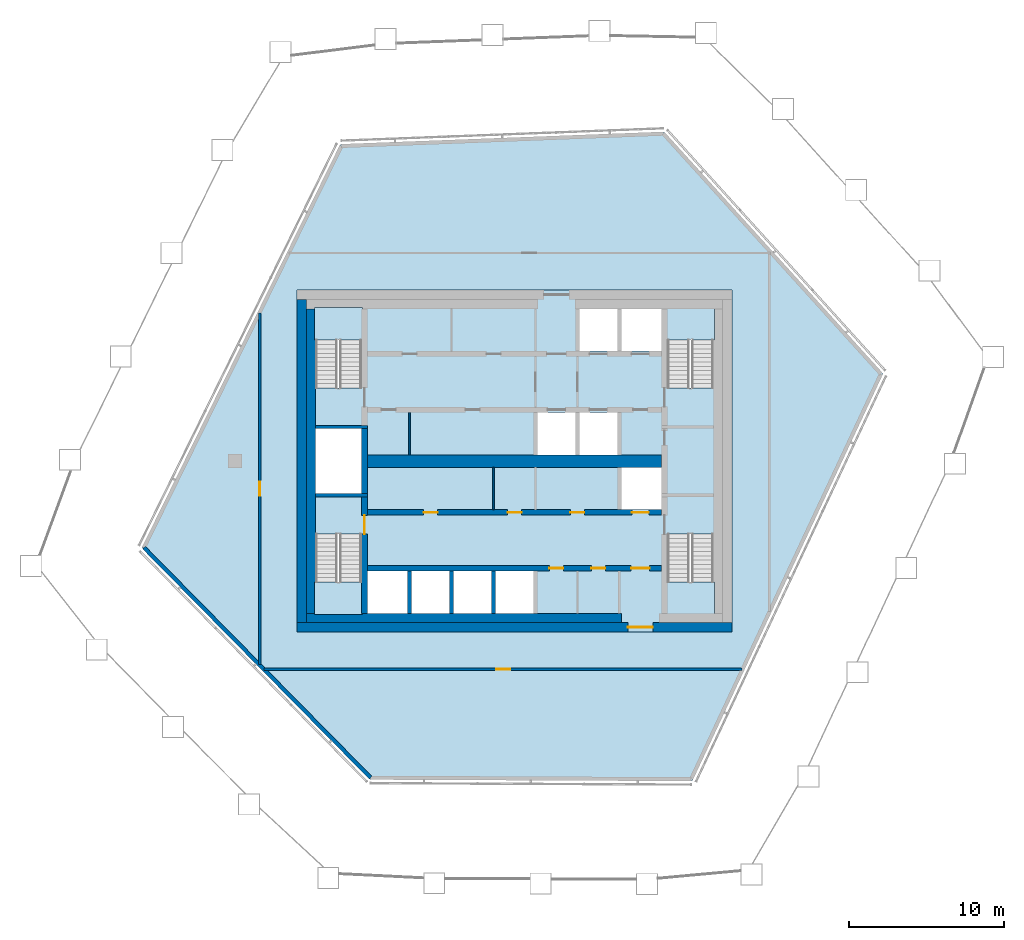
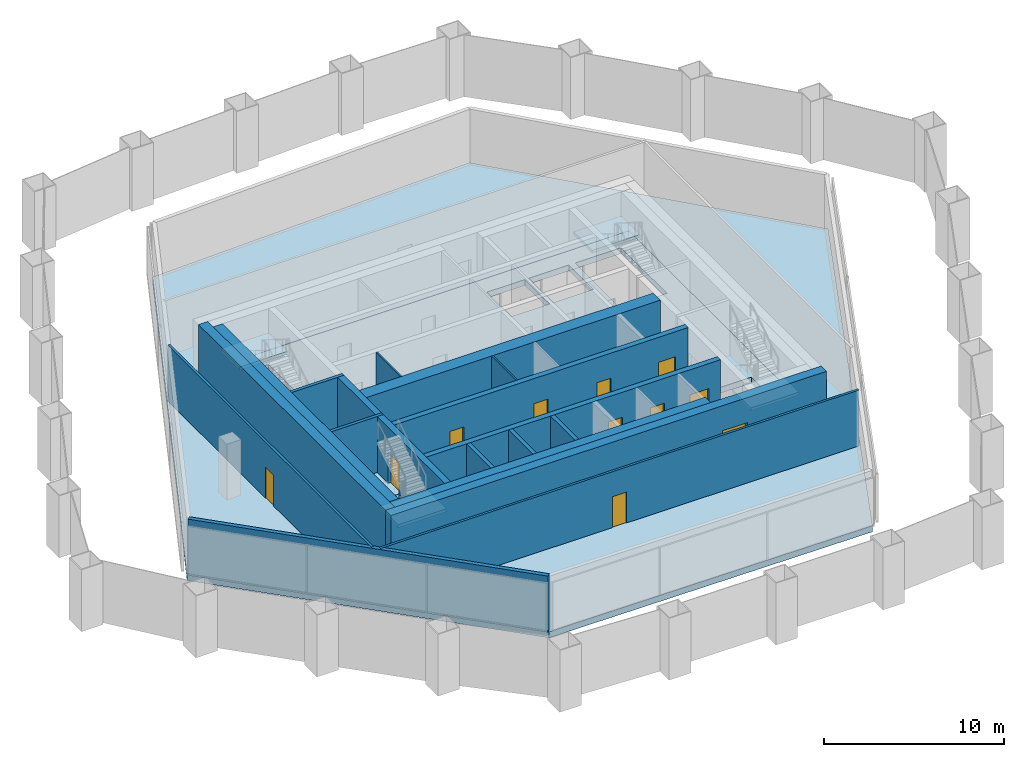
# One storey, part 7 of 18: 19 walls, 11 doors, 6 slabs, 11 openings, 4 elements without a shape of their own.
"""IFC4 building model written with IfcOpenShell, lengths in metres."""

from ifc_helpers import new_model, si_unit, direction, frame, frame_2d, origin, place, context, subcontext, project, spatial, polyline, rectangle, outline, extrude, material, layer, layer_set, type_object, element, fill, aggregate, save


model = new_model("IFC4")

# Units and contexts
model_context = context("Model", 3, precision=1e-05, world=origin(), true_north=direction((0.0, 1.0)))
body_context = subcontext(model_context, "Body", "Model", "MODEL_VIEW")
ifc_project = project(units=[si_unit("LENGTHUNIT", "METRE"), si_unit("AREAUNIT", "SQUARE_METRE"), si_unit("VOLUMEUNIT", "CUBIC_METRE"), si_unit("PLANEANGLEUNIT", "RADIAN"), si_unit("MASSUNIT", "GRAM", prefix="KILO")], contexts=[model_context])

# Site, building, storey
site_placement = place(None, origin())
site = spatial("IfcSite", under=ifc_project, at=site_placement, CompositionType="ELEMENT")
building_placement = place(site_placement, origin())
building = spatial("IfcBuilding", under=site, at=building_placement, Name="Dongbaek Canopy Tower", CompositionType="ELEMENT")
storey_placement = place(building_placement, frame((0.0, 0.0, 359.0)))
storey = spatial("IfcBuildingStorey", under=building, at=storey_placement, Name="L77", CompositionType="ELEMENT", Elevation=359.0)

# Slab
ifc_material_1 = material(Name="Concrete C40/50", Category="concrete")
ifc_layer_1 = layer(ifc_material_1, 0.39990234375)
ifc_layer_set_1 = layer_set([ifc_layer_1], Name="Core floor slab 400 Concrete C40/50")
slab_type_1 = type_object("IfcSlabType", Name="Core floor slab 400 Concrete C40/50", PredefinedType="FLOOR", material=ifc_layer_set_1)
slab_1_placement = place(storey_placement, frame((0.0, 0.0, -0.39990234375)))
element("IfcSlab", 1, at=slab_1_placement, inside=storey, type_object=slab_type_1, Name="Core floor slab L77", PredefinedType="FLOOR", context=body_context, shape_type="SweptSolid", body=[
    extrude(outline(polyline([(14.0, -11.0), (14.0, 11.0), (-14.0, 11.0), (-14.0, -11.0), (14.0, -11.0)]), holes=[polyline([(-12.800048828125, 2.10009765625), (-9.85009765625, 2.10009765625), (-9.85009765625, -2.10009765625), (-12.800048828125, -2.10009765625), (-12.800048828125, 2.10009765625)]), polyline([(6.625, 9.800048828125), (6.625, 7.074951171875), (4.175048828125, 7.074951171875), (4.175048828125, 9.800048828125), (6.625, 9.800048828125)]), polyline([(9.449951171875, 7.074951171875), (6.875, 7.074951171875), (6.875, 9.800048828125), (9.449951171875, 9.800048828125), (9.449951171875, 7.074951171875)]), polyline([(1.47509765625, 0.39990234375), (1.47509765625, 3.125), (3.925048828125, 3.125), (3.925048828125, 0.39990234375), (1.47509765625, 0.39990234375)]), polyline([(4.175048828125, 0.39990234375), (4.175048828125, 3.125), (6.625, 3.125), (6.625, 0.39990234375), (4.175048828125, 0.39990234375)]), polyline([(9.449951171875, -3.125), (6.875, -3.125), (6.875, -0.39990234375), (9.449951171875, -0.39990234375), (9.449951171875, -3.125)]), polyline([(-9.449951171875, -7.074951171875), (-6.875, -7.074951171875), (-6.875, -9.800048828125), (-9.449951171875, -9.800048828125), (-9.449951171875, -7.074951171875)]), polyline([(-6.625, -9.800048828125), (-6.625, -7.074951171875), (-4.175048828125, -7.074951171875), (-4.175048828125, -9.800048828125), (-6.625, -9.800048828125)]), polyline([(-3.925048828125, -9.800048828125), (-3.925048828125, -7.074951171875), (-1.47509765625, -7.074951171875), (-1.47509765625, -9.800048828125), (-3.925048828125, -9.800048828125)]), polyline([(-1.22509765625, -9.800048828125), (-1.22509765625, -7.074951171875), (1.22509765625, -7.074951171875), (1.22509765625, -9.800048828125), (-1.22509765625, -9.800048828125)]), polyline([(12.800048828125, 4.70068359375), (12.800048828125, 9.800048828125), (9.85009765625, 9.800048828125), (9.85009765625, 4.70068359375), (12.800048828125, 4.70068359375)]), polyline([(-9.85009765625, 4.70068359375), (-9.85009765625, 9.800048828125), (-12.800048828125, 9.800048828125), (-12.800048828125, 4.70068359375), (-9.85009765625, 4.70068359375)]), polyline([(9.85009765625, -4.70068359375), (9.85009765625, -9.800048828125), (12.800048828125, -9.800048828125), (12.800048828125, -4.70068359375), (9.85009765625, -4.70068359375)]), polyline([(-12.800048828125, -4.70068359375), (-12.800048828125, -9.800048828125), (-9.85009765625, -9.800048828125), (-9.85009765625, -4.70068359375), (-12.800048828125, -4.70068359375)])]), origin(), (0.0, 0.0, 1.0), 0.39990234375),
])

# Stair, slab
ifc_material_2 = material(Name="Concrete C40/50", Category="concrete")
stair_type = type_object("IfcStairType", Name="Core exit stair", PredefinedType="HALF_TURN_STAIR", material=ifc_material_2)
stair_1_placement = place(storey_placement, origin())
stair_1 = element("IfcStair", 2, at=stair_1_placement, inside=storey, type_object=stair_type, Name="L77 exit stair A", PredefinedType="HALF_TURN_STAIR")
ifc_material_3 = material(Name="Concrete C40/50", Category="concrete")
ifc_layer_2 = layer(ifc_material_3, 0.199951171875)
ifc_layer_set_2 = layer_set([ifc_layer_2], Name="Core stair landing 200")
slab_type_2 = type_object("IfcSlabType", Name="Core stair landing 200", PredefinedType="LANDING", material=ifc_layer_set_2)
slab_2_placement = place(storey_placement, frame((0.0, 0.0, 1.89990234375)))
slab_2 = element("IfcSlab", 3, at=slab_2_placement, type_object=slab_type_2, Name="ST-A landing 1", PredefinedType="LANDING", context=body_context, shape_type="SweptSolid", body=[
    extrude(outline(polyline([(12.875, 7.780029296875), (12.875, 9.875), (9.77490234375, 9.875), (9.77490234375, 7.780029296875), (12.875, 7.780029296875)])), origin(), (0.0, 0.0, 1.0), 0.2001953125),
])
aggregate(stair_1, [slab_2])

stair_2_placement = place(storey_placement, origin())
stair_2 = element("IfcStair", 4, at=stair_2_placement, inside=storey, type_object=stair_type, Name="L77 exit stair C", PredefinedType="HALF_TURN_STAIR")
slab_3_placement = place(storey_placement, frame((0.0, 0.0, 1.89990234375)))
slab_3 = element("IfcSlab", 5, at=slab_3_placement, type_object=slab_type_2, Name="ST-C landing 1", PredefinedType="LANDING", context=body_context, shape_type="SweptSolid", body=[
    extrude(outline(polyline([(-9.77490234375, 7.780029296875), (-9.77490234375, 9.875), (-12.875, 9.875), (-12.875, 7.780029296875), (-9.77490234375, 7.780029296875)])), origin(), (0.0, 0.0, 1.0), 0.2001953125),
])
aggregate(stair_2, [slab_3])

stair_3_placement = place(storey_placement, origin())
stair_3 = element("IfcStair", 6, at=stair_3_placement, inside=storey, type_object=stair_type, Name="L77 exit stair B", PredefinedType="HALF_TURN_STAIR")
slab_4_placement = place(storey_placement, frame((0.0, 0.0, 1.89990234375)))
slab_4 = element("IfcSlab", 7, at=slab_4_placement, type_object=slab_type_2, Name="ST-B landing 1", PredefinedType="LANDING", context=body_context, shape_type="SweptSolid", body=[
    extrude(outline(polyline([(9.77490234375, -7.780029296875), (9.77490234375, -9.875), (12.875, -9.875), (12.875, -7.780029296875), (9.77490234375, -7.780029296875)])), origin(), (0.0, 0.0, 1.0), 0.2001953125),
])
aggregate(stair_3, [slab_4])

stair_4_placement = place(storey_placement, origin())
stair_4 = element("IfcStair", 8, at=stair_4_placement, inside=storey, type_object=stair_type, Name="L77 exit stair D", PredefinedType="HALF_TURN_STAIR")
slab_5_placement = place(storey_placement, frame((0.0, 0.0, 1.89990234375)))
slab_5 = element("IfcSlab", 9, at=slab_5_placement, type_object=slab_type_2, Name="ST-D landing 1", PredefinedType="LANDING", context=body_context, shape_type="SweptSolid", body=[
    extrude(outline(polyline([(-12.875, -7.780029296875), (-12.875, -9.875), (-9.77490234375, -9.875), (-9.77490234375, -7.780029296875), (-12.875, -7.780029296875)])), origin(), (0.0, 0.0, 1.0), 0.2001953125),
])
aggregate(stair_4, [slab_5])

# Slab
ifc_material_4 = material(Name="Concrete C40", Category="concrete")
ifc_layer_3 = layer(ifc_material_4, 0.39990234375)
ifc_layer_set_3 = layer_set([ifc_layer_3], Name="RC FLAT PLATE 400 Concrete C40")
slab_type_3 = type_object("IfcSlabType", Name="RC FLAT PLATE 400 Concrete C40", PredefinedType="FLOOR", material=ifc_layer_set_3)
slab_6_placement = place(storey_placement, frame((0.0, 0.0, -0.39990234375)))
element("IfcSlab", 10, at=slab_6_placement, inside=storey, type_object=slab_type_3, Name="SLAB:L77", PredefinedType="FLOOR", context=body_context, shape_type="SweptSolid", body=[
    extrude(outline(polyline([(-23.972412109375, -5.587646484375), (-11.201904296875, 20.37744140625), (9.6259765625, 21.17431640625), (23.701416015625, 5.631591796875), (11.430908203125, -20.569091796875), (-9.307861328125, -20.4765625), (-23.972412109375, -5.587646484375)]), holes=[polyline([(14.0, 11.0), (-14.0, 11.0), (-14.0, -11.0), (14.0, -11.0), (14.0, 11.0)])]), origin(), (0.0, 0.0, 1.0), 0.39990234375),
])

# Wall
ifc_material_5 = material(Name="Concrete C60/75", Category="concrete")
ifc_layer_4 = layer(ifc_material_5, 0.800048828125)
ifc_layer_set_4 = layer_set([ifc_layer_4], Name="Core central wall 800 Concrete C60/75")
wall_type_1 = type_object("IfcWallType", Name="Core central wall 800 Concrete C60/75", PredefinedType="SHEAR", material=ifc_layer_set_4)
wall_1_placement = place(storey_placement, frame((-9.449951171875, 0.0, 0.0), z_axis=(0.0, 0.0, 1.0), x_axis=(1.0, 0.0, 0.0)))
element("IfcWall", 11, at=wall_1_placement, inside=storey, type_object=wall_type_1, Name="Core wall", PredefinedType="SHEAR", context=body_context, shape_type="SweptSolid", body=[
    extrude(rectangle(XDim=18.89990234375, YDim=0.800048828125, at=frame_2d((9.449951171875, 0.0))), origin(), (0.0, 0.0, 1.0), 3.800048828125),
])

# Wall, openings, doors
ifc_material_6 = material(Name="Concrete C60/75", Category="concrete")
ifc_layer_5 = layer(ifc_material_6, 0.35009765625)
ifc_layer_set_5 = layer_set([ifc_layer_5], Name="Core lobby wall 350 Concrete C60/75")
wall_type_2 = type_object("IfcWallType", Name="Core lobby wall 350 Concrete C60/75", PredefinedType="SHEAR", material=ifc_layer_set_5)
wall_2_placement = place(storey_placement, frame((-9.449951171875, -3.300048828125, 0.0), z_axis=(0.0, 0.0, 1.0), x_axis=(1.0, 0.0, 0.0)))
wall_2 = element("IfcWall", 12, at=wall_2_placement, inside=storey, type_object=wall_type_2, Name="Core wall", PredefinedType="SHEAR", context=body_context, shape_type="SweptSolid", body=[
    extrude(rectangle(XDim=18.89990234375, YDim=0.35009765625, at=frame_2d((9.449951171875, 0.0))), origin(), (0.0, 0.0, 1.0), 3.800048828125),
])
opening_1_placement = place(wall_2_placement, frame((17.0, 0.0, 0.0)))
opening_1 = element("IfcOpeningElement", 13, at=opening_1_placement, cuts=wall_2, Name="Opening L77-D012", PredefinedType="OPENING", context=body_context, shape_type="SweptSolid", body=[
    extrude(rectangle(XDim=1.10009765625, YDim=2.10009765625, at=frame_2d((0.550048828125, 1.050048828125))), frame((0.0, 0.18505859375, 0.0), z_axis=(0.0, -1.0, 0.0), x_axis=(1.0, 0.0, 0.0)), (0.0, 0.0, 1.0), 0.3701171875),
])
opening_2_placement = place(wall_2_placement, frame((3.60009765625, 0.0, 0.0)))
opening_2 = element("IfcOpeningElement", 14, at=opening_2_placement, cuts=wall_2, Name="Opening L77-D019", PredefinedType="OPENING", context=body_context, shape_type="SweptSolid", body=[
    extrude(rectangle(XDim=0.89990234375, YDim=2.10009765625, at=frame_2d((0.449951171875, 1.050048828125))), frame((0.0, 0.18505859375, 0.0), z_axis=(0.0, -1.0, 0.0), x_axis=(1.0, 0.0, 0.0)), (0.0, 0.0, 1.0), 0.3701171875),
])
opening_3_placement = place(wall_2_placement, frame((9.0, 0.0, 0.0)))
opening_3 = element("IfcOpeningElement", 15, at=opening_3_placement, cuts=wall_2, Name="Opening L77-D020", PredefinedType="OPENING", context=body_context, shape_type="SweptSolid", body=[
    extrude(rectangle(XDim=0.89990234375, YDim=2.10009765625, at=frame_2d((0.449951171875, 1.050048828125))), frame((0.0, 0.18505859375, 0.0), z_axis=(0.0, -1.0, 0.0), x_axis=(1.0, 0.0, 0.0)), (0.0, 0.0, 1.0), 0.3701171875),
])
opening_4_placement = place(wall_2_placement, frame((13.050048828125, 0.0, 0.0)))
opening_4 = element("IfcOpeningElement", 16, at=opening_4_placement, cuts=wall_2, Name="Opening L77-D021", PredefinedType="OPENING", context=body_context, shape_type="SweptSolid", body=[
    extrude(rectangle(XDim=0.89990234375, YDim=2.10009765625, at=frame_2d((0.449951171875, 1.050048828125))), frame((0.0, 0.18505859375, 0.0), z_axis=(0.0, -1.0, 0.0), x_axis=(1.0, 0.0, 0.0)), (0.0, 0.0, 1.0), 0.3701171875),
])
ifc_material_7 = material(Name="Steel", Category="steel")
door_type_1 = type_object("IfcDoorType", Name="Core room door 900 x 2100", OperationType="SINGLE_SWING_LEFT", PredefinedType="DOOR", material=ifc_material_7)
door_1_placement = place(opening_2_placement, origin())
door_1 = element("IfcDoor", 17, at=door_1_placement, inside=storey, type_object=door_type_1, Name="Door L77-D019", OperationType="SINGLE_SWING_RIGHT", OverallHeight=2.10009765625, OverallWidth=0.89990234375, PredefinedType="DOOR", context=body_context, shape_type="SweptSolid", body=[
    extrude(rectangle(XDim=0.89990234375, YDim=2.10009765625, at=frame_2d((0.449951171875, 1.050048828125))), frame((0.0, 0.02490234375, 0.0), z_axis=(0.0, -1.0, 0.0), x_axis=(1.0, 0.0, 0.0)), (0.0, 0.0, 1.0), 0.050048828125),
])
fill(opening_2, door_1)
door_2_placement = place(opening_3_placement, origin())
door_2 = element("IfcDoor", 18, at=door_2_placement, inside=storey, type_object=door_type_1, Name="Door L77-D020", OperationType="SINGLE_SWING_LEFT", OverallHeight=2.10009765625, OverallWidth=0.89990234375, PredefinedType="DOOR", context=body_context, shape_type="SweptSolid", body=[
    extrude(rectangle(XDim=0.89990234375, YDim=2.10009765625, at=frame_2d((0.449951171875, 1.050048828125))), frame((0.0, 0.02490234375, 0.0), z_axis=(0.0, -1.0, 0.0), x_axis=(1.0, 0.0, 0.0)), (0.0, 0.0, 1.0), 0.050048828125),
])
fill(opening_3, door_2)
door_3_placement = place(opening_4_placement, origin())
door_3 = element("IfcDoor", 19, at=door_3_placement, inside=storey, type_object=door_type_1, Name="Door L77-D021", OperationType="SINGLE_SWING_RIGHT", OverallHeight=2.10009765625, OverallWidth=0.89990234375, PredefinedType="DOOR", context=body_context, shape_type="SweptSolid", body=[
    extrude(rectangle(XDim=0.89990234375, YDim=2.10009765625, at=frame_2d((0.449951171875, 1.050048828125))), frame((0.0, 0.02490234375, 0.0), z_axis=(0.0, -1.0, 0.0), x_axis=(1.0, 0.0, 0.0)), (0.0, 0.0, 1.0), 0.050048828125),
])
fill(opening_4, door_3)
ifc_material_8 = material(Name="Stainless steel", Category="steel")
door_type_2 = type_object("IfcDoorType", Name="Lift landing door 1100 x 2100", OperationType="DOUBLE_DOOR_SLIDING", PredefinedType="DOOR", material=ifc_material_8)
door_4_placement = place(opening_1_placement, origin())
door_4 = element("IfcDoor", 20, at=door_4_placement, inside=storey, type_object=door_type_2, Name="Landing door SV2", OperationType="DOUBLE_DOOR_SLIDING", OverallHeight=2.10009765625, OverallWidth=1.10009765625, PredefinedType="DOOR", context=body_context, shape_type="SweptSolid", body=[
    extrude(rectangle(XDim=1.10009765625, YDim=2.10009765625, at=frame_2d((0.550048828125, 1.050048828125))), frame((0.0, 0.02490234375, 0.0), z_axis=(0.0, -1.0, 0.0), x_axis=(1.0, 0.0, 0.0)), (0.0, 0.0, 1.0), 0.050048828125),
])
fill(opening_1, door_4)

wall_3_placement = place(storey_placement, frame((9.449951171875, -6.89990234375, 0.0), z_axis=(0.0, 0.0, 1.0), x_axis=(-1.0, 0.0, 0.0)))
wall_3 = element("IfcWall", 21, at=wall_3_placement, inside=storey, type_object=wall_type_2, Name="Core wall", PredefinedType="SHEAR", context=body_context, shape_type="SweptSolid", body=[
    extrude(rectangle(XDim=18.89990234375, YDim=0.35009765625, at=frame_2d((9.449951171875, 0.0))), origin(), (0.0, 0.0, 1.0), 3.800048828125),
])
opening_5_placement = place(wall_3_placement, frame((0.75, 0.0, 0.0)))
opening_5 = element("IfcOpeningElement", 22, at=opening_5_placement, cuts=wall_3, Name="Opening L77-D014", PredefinedType="OPENING", context=body_context, shape_type="SweptSolid", body=[
    extrude(rectangle(XDim=1.199951171875, YDim=2.10009765625, at=frame_2d((0.60009765625, 1.050048828125))), frame((0.0, 0.18505859375, 0.0), z_axis=(0.0, -1.0, 0.0), x_axis=(1.0, 0.0, 0.0)), (0.0, 0.0, 1.0), 0.3701171875),
])
opening_6_placement = place(wall_3_placement, frame((6.300048828125, 0.0, 0.0)))
opening_6 = element("IfcOpeningElement", 23, at=opening_6_placement, cuts=wall_3, Name="Opening L77-D022", PredefinedType="OPENING", context=body_context, shape_type="SweptSolid", body=[
    extrude(rectangle(XDim=0.89990234375, YDim=2.10009765625, at=frame_2d((0.449951171875, 1.050048828125))), frame((0.0, 0.18505859375, 0.0), z_axis=(0.0, -1.0, 0.0), x_axis=(1.0, 0.0, 0.0)), (0.0, 0.0, 1.0), 0.3701171875),
])
opening_7_placement = place(wall_3_placement, frame((3.60009765625, 0.0, 0.0)))
opening_7 = element("IfcOpeningElement", 24, at=opening_7_placement, cuts=wall_3, Name="Opening L77-D023", PredefinedType="OPENING", context=body_context, shape_type="SweptSolid", body=[
    extrude(rectangle(XDim=0.89990234375, YDim=2.10009765625, at=frame_2d((0.449951171875, 1.050048828125))), frame((0.0, 0.18505859375, 0.0), z_axis=(0.0, -1.0, 0.0), x_axis=(1.0, 0.0, 0.0)), (0.0, 0.0, 1.0), 0.3701171875),
])
door_5_placement = place(opening_6_placement, origin())
door_5 = element("IfcDoor", 25, at=door_5_placement, inside=storey, type_object=door_type_1, Name="Door L77-D022", OperationType="SINGLE_SWING_LEFT", OverallHeight=2.10009765625, OverallWidth=0.89990234375, PredefinedType="DOOR", context=body_context, shape_type="SweptSolid", body=[
    extrude(rectangle(XDim=0.89990234375, YDim=2.10009765625, at=frame_2d((0.449951171875, 1.050048828125))), frame((0.0, 0.02490234375, 0.0), z_axis=(0.0, -1.0, 0.0), x_axis=(1.0, 0.0, 0.0)), (0.0, 0.0, 1.0), 0.050048828125),
])
fill(opening_6, door_5)
door_6_placement = place(opening_7_placement, origin())
door_6 = element("IfcDoor", 26, at=door_6_placement, inside=storey, type_object=door_type_1, Name="Door L77-D023", OperationType="SINGLE_SWING_RIGHT", OverallHeight=2.10009765625, OverallWidth=0.89990234375, PredefinedType="DOOR", context=body_context, shape_type="SweptSolid", body=[
    extrude(rectangle(XDim=0.89990234375, YDim=2.10009765625, at=frame_2d((0.449951171875, 1.050048828125))), frame((0.0, 0.02490234375, 0.0), z_axis=(0.0, -1.0, 0.0), x_axis=(1.0, 0.0, 0.0)), (0.0, 0.0, 1.0), 0.050048828125),
])
fill(opening_7, door_6)
ifc_material_9 = material(Name="Steel", Category="steel")
door_type_3 = type_object("IfcDoorType", Name="Fire lobby door 1200 x 2100", OperationType="SINGLE_SWING_LEFT", PredefinedType="DOOR", material=ifc_material_9)
door_7_placement = place(opening_5_placement, origin())
door_7 = element("IfcDoor", 27, at=door_7_placement, inside=storey, type_object=door_type_3, Name="Door L77-D014", OperationType="SINGLE_SWING_LEFT", OverallHeight=2.10009765625, OverallWidth=1.199951171875, PredefinedType="DOOR", context=body_context, shape_type="SweptSolid", body=[
    extrude(rectangle(XDim=1.199951171875, YDim=2.10009765625, at=frame_2d((0.60009765625, 1.050048828125))), frame((0.0, 0.02490234375, 0.0), z_axis=(0.0, -1.0, 0.0), x_axis=(1.0, 0.0, 0.0)), (0.0, 0.0, 1.0), 0.050048828125),
])
fill(opening_5, door_7)

# Wall, opening, door
ifc_material_10 = material(Name="Concrete C80/95", Category="concrete")
ifc_layer_6 = layer(ifc_material_10, 0.60009765625)
ifc_layer_set_6 = layer_set([ifc_layer_6], Name="Core outer wall 600 Concrete C80/95")
wall_type_3 = type_object("IfcWallType", Name="Core outer wall 600 Concrete C80/95", PredefinedType="SHEAR", material=ifc_layer_set_6)
wall_4_placement = place(storey_placement, frame((14.0, -10.699951171875, 0.0), z_axis=(0.0, 0.0, 1.0), x_axis=(-1.0, 0.0, 0.0)))
wall_4 = element("IfcWall", 28, at=wall_4_placement, inside=storey, type_object=wall_type_3, Name="Core wall", PredefinedType="SHEAR", context=body_context, shape_type="SweptSolid", body=[
    extrude(rectangle(XDim=28.0, YDim=0.60009765625, at=frame_2d((14.0, 0.0))), origin(), (0.0, 0.0, 1.0), 3.800048828125),
])
opening_8_placement = place(wall_4_placement, frame((5.10009765625, 0.0, 0.0)))
opening_8 = element("IfcOpeningElement", 29, at=opening_8_placement, cuts=wall_4, Name="Opening L77-D013", PredefinedType="OPENING", context=body_context, shape_type="SweptSolid", body=[
    extrude(rectangle(XDim=1.60009765625, YDim=2.10009765625, at=frame_2d((0.800048828125, 1.050048828125))), frame((0.0, 0.31005859375, 0.0), z_axis=(0.0, -1.0, 0.0), x_axis=(1.0, 0.0, 0.0)), (0.0, 0.0, 1.0), 0.6201171875),
])
ifc_material_11 = material(Name="Steel", Category="steel")
door_type_4 = type_object("IfcDoorType", Name="Core exit door 1600 x 2100", OperationType="DOUBLE_DOOR_SINGLE_SWING", PredefinedType="DOOR", material=ifc_material_11)
door_8_placement = place(opening_8_placement, origin())
door_8 = element("IfcDoor", 30, at=door_8_placement, inside=storey, type_object=door_type_4, Name="Core exit door", OperationType="DOUBLE_DOOR_SINGLE_SWING", OverallHeight=2.10009765625, OverallWidth=1.60009765625, PredefinedType="DOOR", context=body_context, shape_type="SweptSolid", body=[
    extrude(rectangle(XDim=1.60009765625, YDim=2.10009765625, at=frame_2d((0.800048828125, 1.050048828125))), frame((0.0, 0.02490234375, 0.0), z_axis=(0.0, -1.0, 0.0), x_axis=(1.0, 0.0, 0.0)), (0.0, 0.0, 1.0), 0.050048828125),
])
fill(opening_8, door_8)

# Walls
wall_5_placement = place(storey_placement, frame((-13.699951171875, -10.39990234375, 0.0), z_axis=(0.0, 0.0, 1.0), x_axis=(0.0, 1.0, 0.0)))
element("IfcWall", 31, at=wall_5_placement, inside=storey, type_object=wall_type_3, Name="Core wall", PredefinedType="SHEAR", context=body_context, shape_type="SweptSolid", body=[
    extrude(rectangle(XDim=20.7998046875, YDim=0.60009765625, at=frame_2d((10.39990234375, 0.0))), origin(), (0.0, 0.0, 1.0), 3.800048828125),
])
ifc_material_12 = material(Name="Concrete C60/75", Category="concrete")
ifc_layer_7 = layer(ifc_material_12, 0.60009765625)
ifc_layer_set_7 = layer_set([ifc_layer_7], Name="Core wall lining 600 Concrete C60/75")
wall_type_4 = type_object("IfcWallType", Name="Core wall lining 600 Concrete C60/75", PredefinedType="SHEAR", material=ifc_layer_set_7)
wall_6_placement = place(storey_placement, frame((6.89990234375, -10.10009765625, 0.0), z_axis=(0.0, 0.0, 1.0), x_axis=(-1.0, 0.0, 0.0)))
element("IfcWall", 32, at=wall_6_placement, inside=storey, type_object=wall_type_4, Name="Core wall lining", PredefinedType="SHEAR", context=body_context, shape_type="SweptSolid", body=[
    extrude(rectangle(XDim=20.2998046875, YDim=0.60009765625, at=frame_2d((10.14990234375, 0.0))), origin(), (0.0, 0.0, 1.0), 3.800048828125),
])
wall_7_placement = place(storey_placement, frame((-13.10009765625, -9.800048828125, 0.0), z_axis=(0.0, 0.0, 1.0), x_axis=(0.0, 1.0, 0.0)))
element("IfcWall", 33, at=wall_7_placement, inside=storey, type_object=wall_type_4, Name="Core wall lining", PredefinedType="SHEAR", context=body_context, shape_type="SweptSolid", body=[
    extrude(rectangle(XDim=19.60009765625, YDim=0.60009765625, at=frame_2d((9.800048828125, 0.0))), origin(), (0.0, 0.0, 1.0), 3.800048828125),
])

# Wall, opening, door
ifc_material_13 = material(Name="Gypsum board partition, steel stud, 2 x 15 mm fire board", Category="steel")
ifc_layer_8 = layer(ifc_material_13, 0.14990234375)
ifc_layer_set_8 = layer_set([ifc_layer_8], Name="Fire-rated partition 150 gypsum board")
wall_type_5 = type_object("IfcWallType", Name="Fire-rated partition 150 gypsum board", PredefinedType="PARTITIONING", material=ifc_layer_set_8)
wall_8_placement = place(storey_placement, frame((14.656005859375, -13.39990234375, 0.0), z_axis=(0.0, 0.0, 1.0), x_axis=(-1.0, 0.0, 0.0)))
wall_8 = element("IfcWall", 34, at=wall_8_placement, inside=storey, type_object=wall_type_5, Name="Corridor partition", PredefinedType="PARTITIONING", context=body_context, shape_type="SweptSolid", body=[
    extrude(rectangle(XDim=30.76513671875, YDim=0.14990234375, at=frame_2d((15.382568359375, 0.0))), origin(), (0.0, 0.0, 1.0), 3.800048828125),
])
opening_9_placement = place(wall_8_placement, frame((14.9326171875, 0.0, 0.0)))
opening_9 = element("IfcOpeningElement", 35, at=opening_9_placement, cuts=wall_8, Name="Opening L77-D002", PredefinedType="OPENING", context=body_context, shape_type="SweptSolid", body=[
    extrude(rectangle(XDim=0.89990234375, YDim=2.10009765625, at=frame_2d((0.449951171875, 1.050048828125))), frame((0.0, 0.0849609375, 0.0), z_axis=(0.0, -1.0, 0.0), x_axis=(1.0, 0.0, 0.0)), (0.0, 0.0, 1.0), 0.169921875),
])
ifc_material_14 = material(Name="Timber veneered door leaf", Category="wood")
door_type_5 = type_object("IfcDoorType", Name="Store door 900 x 2100", OperationType="SINGLE_SWING_LEFT", PredefinedType="DOOR", material=ifc_material_14)
door_9_placement = place(opening_9_placement, origin())
door_9 = element("IfcDoor", 36, at=door_9_placement, inside=storey, type_object=door_type_5, Name="Door L77-D002", OperationType="SINGLE_SWING_LEFT", OverallHeight=2.10009765625, OverallWidth=0.89990234375, PredefinedType="DOOR", context=body_context, shape_type="SweptSolid", body=[
    extrude(rectangle(XDim=0.89990234375, YDim=2.10009765625, at=frame_2d((0.449951171875, 1.050048828125))), frame((0.0, 0.02490234375, 0.0), z_axis=(0.0, -1.0, 0.0), x_axis=(1.0, 0.0, 0.0)), (0.0, 0.0, 1.0), 0.050048828125),
])
fill(opening_9, door_9)

wall_9_placement = place(storey_placement, frame((-16.39990234375, -13.104736328125, 0.0), z_axis=(0.0, 0.0, 1.0), x_axis=(0.0, 1.0, 0.0)))
wall_9 = element("IfcWall", 37, at=wall_9_placement, inside=storey, type_object=wall_type_5, Name="Corridor partition", PredefinedType="PARTITIONING", context=body_context, shape_type="SweptSolid", body=[
    extrude(rectangle(XDim=22.641357421875, YDim=0.14990234375, at=frame_2d((11.32080078125, 0.0))), origin(), (0.0, 0.0, 1.0), 3.800048828125),
])
opening_10_placement = place(wall_9_placement, frame((10.87060546875, 0.0, 0.0)))
opening_10 = element("IfcOpeningElement", 38, at=opening_10_placement, cuts=wall_9, Name="Opening L77-D001", PredefinedType="OPENING", context=body_context, shape_type="SweptSolid", body=[
    extrude(rectangle(XDim=0.89990234375, YDim=2.10009765625, at=frame_2d((0.449951171875, 1.050048828125))), frame((0.0, 0.0849609375, 0.0), z_axis=(0.0, -1.0, 0.0), x_axis=(1.0, 0.0, 0.0)), (0.0, 0.0, 1.0), 0.169921875),
])
door_10_placement = place(opening_10_placement, origin())
door_10 = element("IfcDoor", 39, at=door_10_placement, inside=storey, type_object=door_type_5, Name="Door L77-D001", OperationType="SINGLE_SWING_RIGHT", OverallHeight=2.10009765625, OverallWidth=0.89990234375, PredefinedType="DOOR", context=body_context, shape_type="SweptSolid", body=[
    extrude(rectangle(XDim=0.89990234375, YDim=2.10009765625, at=frame_2d((0.449951171875, 1.050048828125))), frame((0.0, 0.02490234375, 0.0), z_axis=(0.0, -1.0, 0.0), x_axis=(1.0, 0.0, 0.0)), (0.0, 0.0, 1.0), 0.050048828125),
])
fill(opening_10, door_10)

# Walls
ifc_material_15 = material(Name="Concrete C40/50", Category="concrete")
ifc_layer_9 = layer(ifc_material_15, 0.25)
ifc_layer_set_9 = layer_set([ifc_layer_9], Name="Lift shaft wall 250 Concrete C40/50")
wall_type_6 = type_object("IfcWallType", Name="Lift shaft wall 250 Concrete C40/50", PredefinedType="SOLIDWALL", material=ifc_layer_set_9)
for number, where, z_axis, x_axis, name in (
    (40, (-1.35009765625, -9.800048828125, 0.0), (0.0, 0.0, 1.0), (0.0, 1.0, 0.0), "Lift shaft wall"),
    (41, (-4.050048828125, -9.800048828125, 0.0), (0.0, 0.0, 1.0), (0.0, 1.0, 0.0), "Lift shaft wall"),
    (42, (-6.75, -9.800048828125, 0.0), (0.0, 0.0, 1.0), (0.0, 1.0, 0.0), "Lift shaft wall"),
):
    element("IfcWall", number, at=place(storey_placement, frame(where, z_axis=z_axis, x_axis=x_axis)), inside=storey, type_object=wall_type_6, Name=name, PredefinedType="SOLIDWALL", context=body_context, shape_type="SweptSolid", body=[
        extrude(rectangle(XDim=2.72509765625, YDim=0.25, at=frame_2d((1.362548828125, 0.0))), origin(), (0.0, 0.0, 1.0), 3.800048828125),
    ])
ifc_material_16 = material(Name="Gypsum board partition, steel stud, 2 x 12.5 mm board", Category="steel")
ifc_layer_10 = layer(ifc_material_16, 0.10009765625)
ifc_layer_set_10 = layer_set([ifc_layer_10], Name="Partition 100 gypsum board")
wall_type_7 = type_object("IfcWallType", Name="Partition 100 gypsum board", PredefinedType="PARTITIONING", material=ifc_layer_set_10)
for number, where, z_axis, x_axis, name in (
    (43, (-1.35009765625, -3.125, 0.0), (0.0, 0.0, 1.0), (0.0, 1.0, 0.0), "Core partition"),
    (44, (-6.75, 0.39990234375, 0.0), (0.0, 0.0, 1.0), (0.0, 1.0, 0.0), "Core partition"),
):
    element("IfcWall", number, at=place(storey_placement, frame(where, z_axis=z_axis, x_axis=x_axis)), inside=storey, type_object=wall_type_7, Name=name, PredefinedType="PARTITIONING", context=body_context, shape_type="SweptSolid", body=[
        extrude(rectangle(XDim=2.72509765625, YDim=0.10009765625, at=frame_2d((1.362548828125, 0.0))), origin(), (0.0, 0.0, 1.0), 3.800048828125),
    ])
ifc_material_17 = material(Name="Pale metal cladding on insulated wall")
ifc_layer_11 = layer(ifc_material_17, 0.25)
ifc_layer_set_11 = layer_set([ifc_layer_11], Name="Plant floor wall 250")
wall_type_8 = type_object("IfcWallType", Name="Plant floor wall 250", PredefinedType="SOLIDWALL", material=ifc_layer_set_11)
wall_10_placement = place(storey_placement, frame((-23.851318359375, -5.568115234375, 0.0), z_axis=(0.0, 0.0, 1.0), x_axis=(0.701718568407, -0.712454244673, 0.0)))
element("IfcWall", 45, at=wall_10_placement, inside=storey, type_object=wall_type_8, Name="Plant wall L77 F5 1", PredefinedType="SOLIDWALL", context=body_context, shape_type="SweptSolid", body=[
    extrude(rectangle(XDim=20.785400390625, YDim=0.25, at=frame_2d((10.392578125, 0.0))), origin(), (0.0, 0.0, 1.0), 3.800048828125),
])
ifc_material_18 = material(Name="Concrete C60/75", Category="concrete")
ifc_layer_12 = layer(ifc_material_18, 0.199951171875)
ifc_layer_set_12 = layer_set([ifc_layer_12], Name="Riser wall 200 Concrete C60/75")
wall_type_9 = type_object("IfcWallType", Name="Riser wall 200 Concrete C60/75", PredefinedType="SHEAR", material=ifc_layer_set_12)
for number, where, z_axis, x_axis, name in (
    (46, (-9.449951171875, 2.199951171875, 0.0), (0.0, 0.0, 1.0), (-1.0, 0.0, 0.0), "Riser wall"),
    (47, (-9.449951171875, -2.199951171875, 0.0), (0.0, 0.0, 1.0), (-1.0, 0.0, 0.0), "Riser wall"),
):
    element("IfcWall", number, at=place(storey_placement, frame(where, z_axis=z_axis, x_axis=x_axis)), inside=storey, type_object=wall_type_9, Name=name, PredefinedType="SHEAR", context=body_context, shape_type="SweptSolid", body=[
        extrude(rectangle(XDim=3.35009765625, YDim=0.199951171875, at=frame_2d((1.675048828125, 0.0))), origin(), (0.0, 0.0, 1.0), 3.800048828125),
    ])

# Wall, opening, door
ifc_material_19 = material(Name="Concrete C60/75", Category="concrete")
ifc_layer_13 = layer(ifc_material_19, 0.39990234375)
ifc_layer_set_13 = layer_set([ifc_layer_13], Name="Stair wall 400 Concrete C60/75")
wall_type_10 = type_object("IfcWallType", Name="Stair wall 400 Concrete C60/75", PredefinedType="SHEAR", material=ifc_layer_set_13)
wall_11_placement = place(storey_placement, frame((-9.64990234375, -9.800048828125, 0.0), z_axis=(0.0, 0.0, 1.0), x_axis=(0.0, 1.0, 0.0)))
wall_11 = element("IfcWall", 48, at=wall_11_placement, inside=storey, type_object=wall_type_10, Name="Stair wall", PredefinedType="SHEAR", context=body_context, shape_type="SweptSolid", body=[
    extrude(rectangle(XDim=7.5, YDim=0.39990234375, at=frame_2d((3.75, 0.0))), origin(), (0.0, 0.0, 1.0), 3.800048828125),
])
opening_11_placement = place(wall_11_placement, frame((5.10009765625, 0.0, 0.0)))
opening_11 = element("IfcOpeningElement", 49, at=opening_11_placement, cuts=wall_11, Name="Opening L77-D027", PredefinedType="OPENING", context=body_context, shape_type="SweptSolid", body=[
    extrude(rectangle(XDim=1.199951171875, YDim=2.10009765625, at=frame_2d((0.60009765625, 1.050048828125))), frame((0.0, 0.2099609375, 0.0), z_axis=(0.0, -1.0, 0.0), x_axis=(1.0, 0.0, 0.0)), (0.0, 0.0, 1.0), 0.419921875),
])
ifc_material_20 = material(Name="Steel", Category="steel")
door_type_6 = type_object("IfcDoorType", Name="Stair door 1200 x 2100", OperationType="SINGLE_SWING_LEFT", PredefinedType="DOOR", material=ifc_material_20)
door_11_placement = place(opening_11_placement, origin())
door_11 = element("IfcDoor", 50, at=door_11_placement, inside=storey, type_object=door_type_6, Name="Stair D door", OperationType="SINGLE_SWING_LEFT", OverallHeight=2.10009765625, OverallWidth=1.199951171875, PredefinedType="DOOR", context=body_context, shape_type="SweptSolid", body=[
    extrude(rectangle(XDim=1.199951171875, YDim=2.10009765625, at=frame_2d((0.60009765625, 1.050048828125))), frame((0.0, 0.02490234375, 0.0), z_axis=(0.0, -1.0, 0.0), x_axis=(1.0, 0.0, 0.0)), (0.0, 0.0, 1.0), 0.050048828125),
])
fill(opening_11, door_11)

# Wall
wall_12_placement = place(storey_placement, frame((-9.64990234375, -2.10009765625, 0.0), z_axis=(0.0, 0.0, 1.0), x_axis=(0.0, 1.0, 0.0)))
element("IfcWall", 51, at=wall_12_placement, inside=storey, type_object=wall_type_10, Name="Stair wall", PredefinedType="SHEAR", context=body_context, shape_type="SweptSolid", body=[
    extrude(rectangle(XDim=4.2001953125, YDim=0.39990234375, at=frame_2d((2.10009765625, 0.0))), origin(), (0.0, 0.0, 1.0), 3.800048828125),
])

save(model, "model.ifc")
